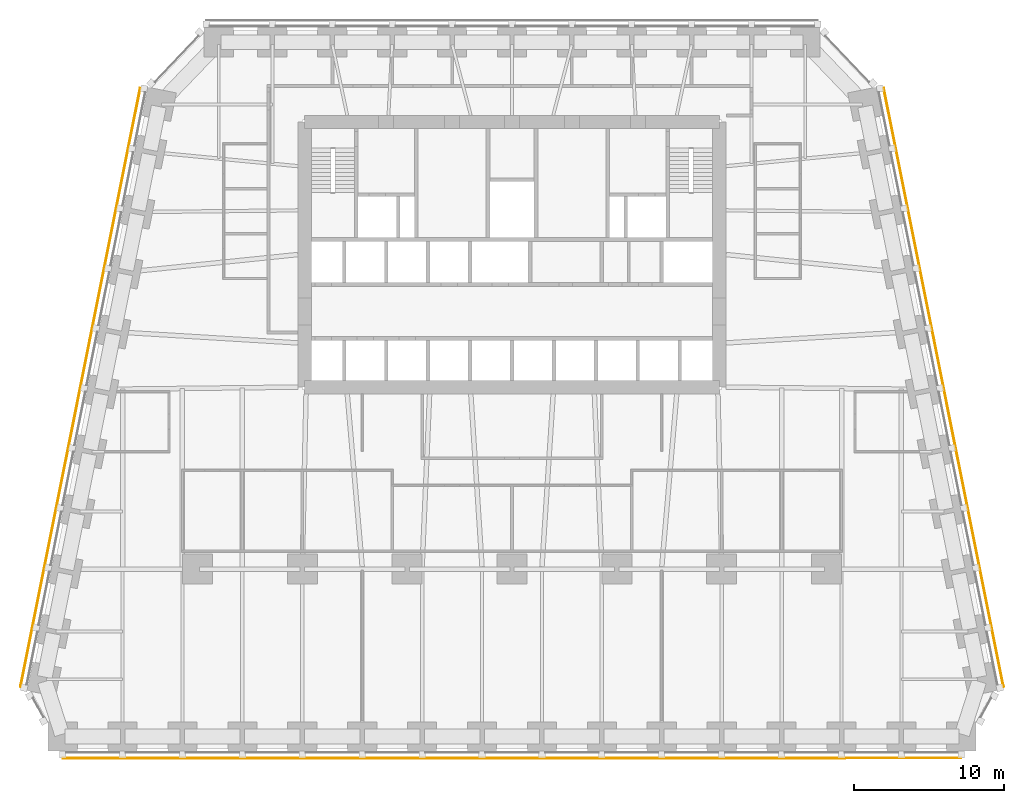
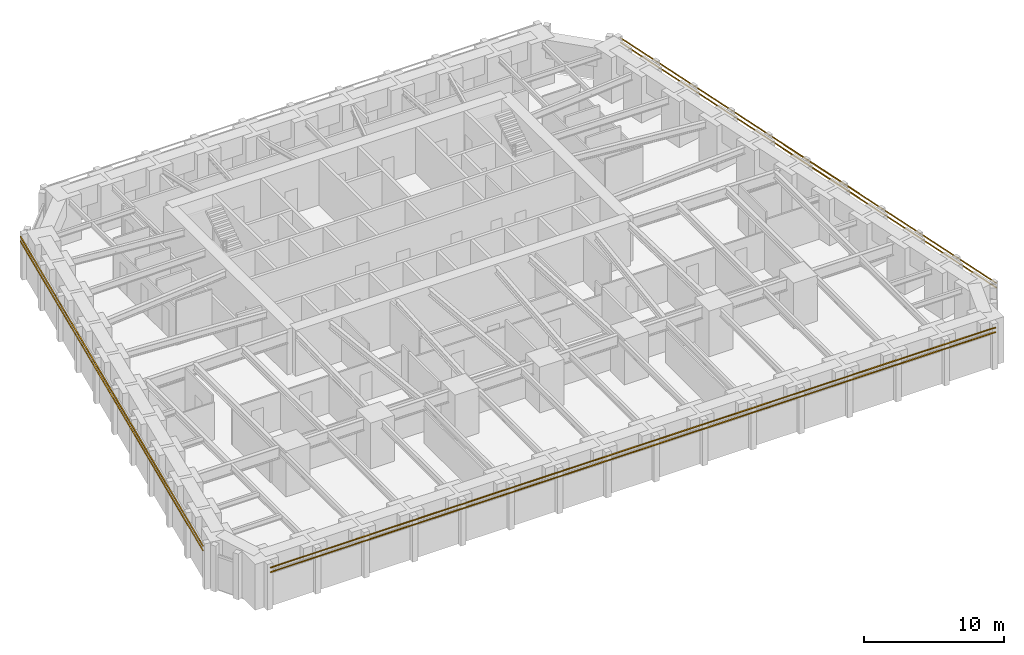
# One storey, part 9 of 10: 6 shading devices.
"""IFC4 building model written with IfcOpenShell, lengths in metres."""

from ifc_helpers import new_model, si_unit, direction, frame, origin, origin_2d, place, context, subcontext, project, spatial, rectangle, extrude, material, material_profile, profile_set, type_object, element, save


model = new_model("IFC4")

# Units and contexts
model_context = context("Model", 3, precision=1e-05, world=origin(), true_north=direction((0.0, 1.0)))
body_context = subcontext(model_context, "Body", "Model", "MODEL_VIEW")
ifc_project = project(units=[si_unit("LENGTHUNIT", "METRE"), si_unit("AREAUNIT", "SQUARE_METRE"), si_unit("VOLUMEUNIT", "CUBIC_METRE"), si_unit("PLANEANGLEUNIT", "RADIAN"), si_unit("MASSUNIT", "GRAM", prefix="KILO")], contexts=[model_context])

# Site, building, storey
site_placement = place(None, origin())
site = spatial("IfcSite", under=ifc_project, at=site_placement, CompositionType="ELEMENT")
building_placement = place(site_placement, origin())
building = spatial("IfcBuilding", under=site, at=building_placement, Name="Isbrekke Arena Tower", CompositionType="ELEMENT")
storey_placement = place(building_placement, frame((0.0, 0.0, 76.0)))
storey = spatial("IfcBuildingStorey", under=building, at=storey_placement, Name="L16", CompositionType="ELEMENT", Elevation=76.0)

# Shading devices
ifc_material = material(Name="Terracotta", Category="masonry")
ifc_material_profile = material_profile(ifc_material, rectangle(XDim=0.06005859375, YDim=0.06005859375, at=origin_2d()), Name="BAGUETTE 60X60")
ifc_profile_set = profile_set([ifc_material_profile], Name="Terracotta")
shading_device_type = type_object("IfcShadingDeviceType", Name="BG1 TERRACOTTA BAGUETTE 60 x 60", PredefinedType="USERDEFINED", material=ifc_profile_set)
for number, where, z_axis, x_axis, name in (
    (1, (-30.0, -18.6298828125, 3.280029296875), (1.0, 0.0, 0.0), (0.0, 1.0, 0.0), "BG1 terracotta baguette S1 L16"),
    (2, (-30.0, -18.6298828125, 3.679931640625), (1.0, 0.0, 0.0), (0.0, 1.0, 0.0), "BG1 terracotta baguette S2 L16"),
):
    element("IfcShadingDevice", number, at=place(storey_placement, frame(where, z_axis=z_axis, x_axis=x_axis)), inside=storey, type_object=shading_device_type, Name=name, ObjectType="TERRACOTTA BAGUETTE", PredefinedType="USERDEFINED", context=body_context, shape_type="SweptSolid", body=[
        extrude(rectangle(XDim=0.06005859375, YDim=0.06005859375, at=origin_2d()), origin(), (0.0, 0.0, 1.0), 60.0),
    ])
for number, where, z_axis, x_axis, name in (
    (3, (32.81787109375, -13.87646484375, 3.280029296875), (-0.196116135138, 0.980580675691, 0.0), (-0.980580675691, -0.196116135138, 0.0), "BG1 terracotta baguette E1 L16"),
    (4, (32.81787109375, -13.87646484375, 3.679931640625), (-0.196116135138, 0.980580675691, 0.0), (-0.980580675691, -0.196116135138, 0.0), "BG1 terracotta baguette E2 L16"),
    (5, (-24.81787109375, 26.12353515625, 3.280029296875), (-0.196116135138, -0.980580675691, 0.0), (0.980580675691, -0.196116135138, 0.0), "BG1 terracotta baguette W1 L16"),
    (6, (-24.81787109375, 26.12353515625, 3.679931640625), (-0.196116135138, -0.980580675691, 0.0), (0.980580675691, -0.196116135138, 0.0), "BG1 terracotta baguette W2 L16"),
):
    element("IfcShadingDevice", number, at=place(storey_placement, frame(where, z_axis=z_axis, x_axis=x_axis)), inside=storey, type_object=shading_device_type, Name=name, ObjectType="TERRACOTTA BAGUETTE", PredefinedType="USERDEFINED", context=body_context, shape_type="SweptSolid", body=[
        extrude(rectangle(XDim=0.06005859375, YDim=0.06005859375, at=origin_2d()), origin(), (0.0, 0.0, 1.0), 40.792236328125),
    ])

save(model, "model.ifc")
